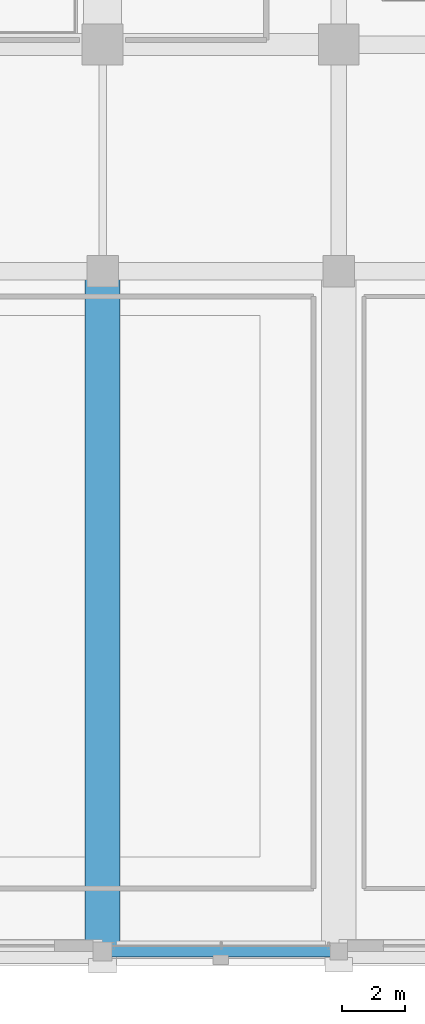
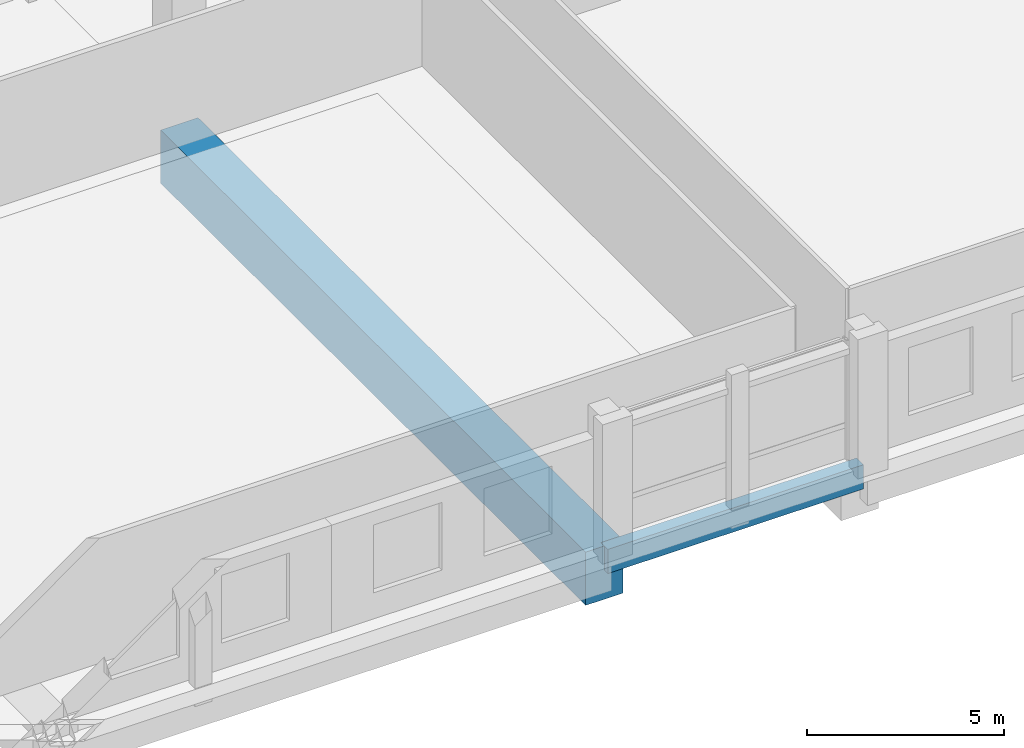
# One storey, part 25 of 68: 2 beams.
"""IFC4 building model written with IfcOpenShell, lengths in metres."""

from ifc_helpers import new_model, si_unit, direction, frame, origin, origin_2d, place, context, subcontext, project, spatial, rectangle, extrude, material, material_profile, profile_set, type_object, element, save


model = new_model("IFC4")

# Units and contexts
model_context = context("Model", 3, precision=1e-05, world=origin(), true_north=direction((0.0, 1.0)))
body_context = subcontext(model_context, "Body", "Model", "MODEL_VIEW")
ifc_project = project(units=[si_unit("LENGTHUNIT", "METRE"), si_unit("AREAUNIT", "SQUARE_METRE"), si_unit("VOLUMEUNIT", "CUBIC_METRE"), si_unit("PLANEANGLEUNIT", "RADIAN"), si_unit("MASSUNIT", "GRAM", prefix="KILO")], contexts=[model_context])

# Site, building, storey
site_placement = place(None, origin())
site = spatial("IfcSite", under=ifc_project, at=site_placement, CompositionType="ELEMENT")
building_placement = place(site_placement, origin())
building = spatial("IfcBuilding", under=site, at=building_placement, Name="Akrevak Sports Hall", CompositionType="ELEMENT")
storey_placement = place(building_placement, frame((0.0, 0.0, 9.39990234375)))
storey = spatial("IfcBuildingStorey", under=building, at=storey_placement, Name="L02", CompositionType="ELEMENT", Elevation=9.39990234375)

# Beams
ifc_material_1 = material(Name="Concrete C50/60", Category="concrete")
ifc_material_profile_1 = material_profile(ifc_material_1, rectangle(XDim=1.10009765625, YDim=1.64990234375, at=origin_2d()), Name="BM 1100x1650", Category="concrete")
ifc_profile_set_1 = profile_set([ifc_material_profile_1], Name="Concrete C50/60")
beam_type_1 = type_object("IfcBeamType", Name="STR-BM-LG1100x1650", PredefinedType="BEAM", material=ifc_profile_set_1)
beam_1_placement = place(storey_placement, frame((108.0, 0.0, -0.824951171875), z_axis=(0.0, 1.0, 0.0), x_axis=(-1.0, 0.0, 0.0)))
element("IfcBeam", 1, at=beam_1_placement, inside=storey, type_object=beam_type_1, Name="Girder 15/A-D (L02)", PredefinedType="BEAM", context=body_context, shape_type="SweptSolid", body=[
    extrude(rectangle(XDim=1.10009765625, YDim=1.64990234375, at=origin_2d()), origin(), (0.0, 0.0, 1.0), 21.60009765625),
])
ifc_material_2 = material(Name="Concrete C40/50", Category="concrete")
ifc_material_profile_2 = material_profile(ifc_material_2, rectangle(XDim=0.35009765625, YDim=0.75, at=origin_2d()), Name="SPD 350x750", Category="concrete")
ifc_profile_set_2 = profile_set([ifc_material_profile_2], Name="Concrete C40/50")
beam_type_2 = type_object("IfcBeamType", Name="STR-SPD-RC350x750", PredefinedType="SPANDREL", material=ifc_profile_set_2)
beam_2_placement = place(storey_placement, frame((108.0, 0.0, -0.375), z_axis=(1.0, 0.0, 0.0), x_axis=(0.0, 1.0, 0.0)))
element("IfcBeam", 2, at=beam_2_placement, inside=storey, type_object=beam_type_2, Name="Girder A/15-16 (L02)", PredefinedType="SPANDREL", context=body_context, shape_type="SweptSolid", body=[
    extrude(rectangle(XDim=0.35009765625, YDim=0.75, at=origin_2d()), origin(), (0.0, 0.0, 1.0), 7.5),
])

save(model, "model.ifc")
